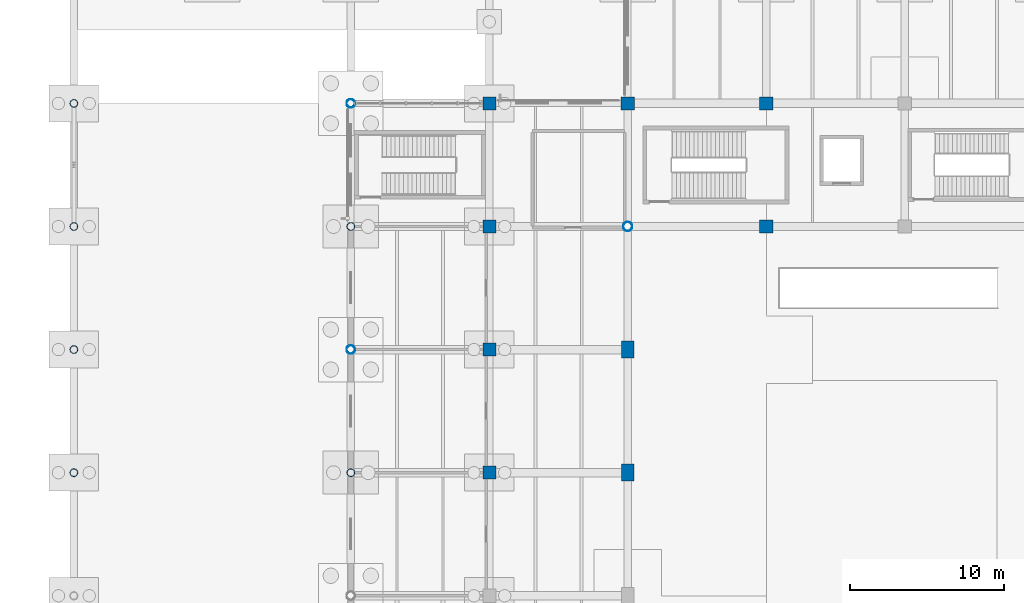
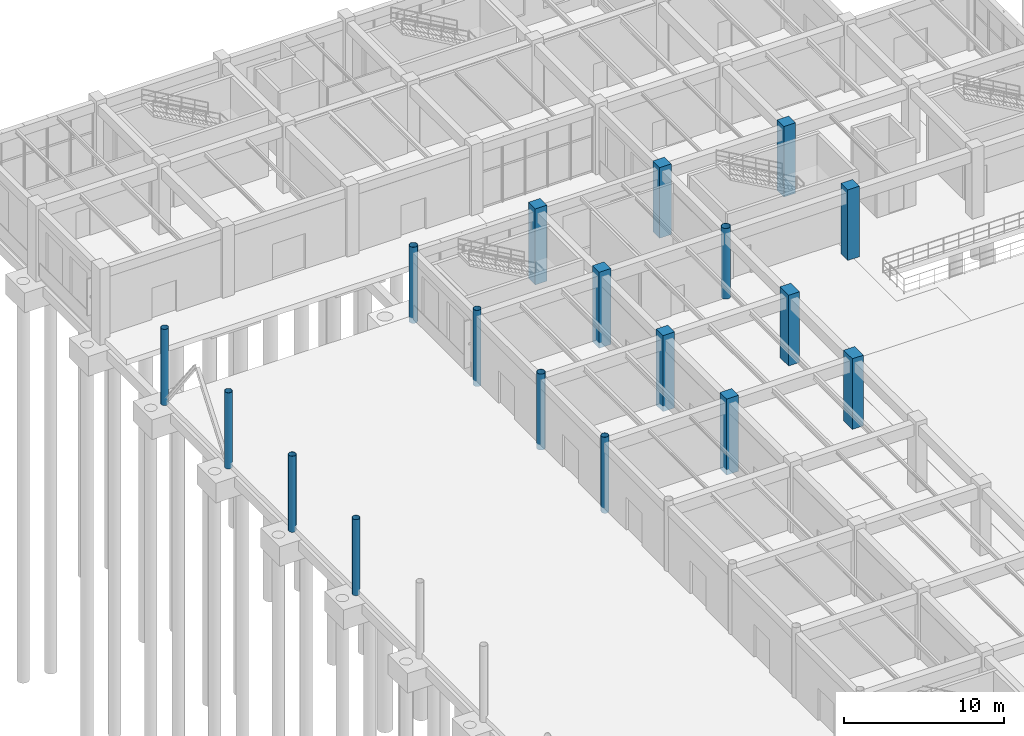
# One storey, part 12 of 121: 18 columns.
"""IFC4 building model written with IfcOpenShell, lengths in metres."""

import ifcopenshell
import ifcopenshell.guid

model = None  # the IFC model being written
_history = None  # IfcOwnerHistory: only IFC2X3 demands one
_inside = {}  # id of a spatial element -> (the spatial element, [elements in it])
_under = {}  # id of a project, library or spatial element -> (it, [spatial elements below it])
_declared = {}  # id of a project -> (the project, [libraries it declares])
_typed = {}  # id of a type object -> (the type object, [elements of that type])
_made_of = {}  # id of a material, layer set ... -> (it, [elements and type objects made of it])


def new_model(schema):
    """Start an empty IFC model of exactly this schema.

    Asked for "IFC4X3", IfcOpenShell would pick the latest addendum, in which some entities
    have other attributes; the version numbers below select the first issue.
    IFC2X3 requires an IfcOwnerHistory on every rooted entity: one is made here for all.
    """
    global model, _history
    if schema == "IFC4X3":
        model = ifcopenshell.file(schema_version=(4, 3, 0, 0))
    else:
        model = ifcopenshell.file(schema=schema)
    _inside.clear()
    _under.clear()
    _declared.clear()
    _typed.clear()
    _made_of.clear()
    _history = None
    if model.schema == "IFC2X3":
        org = make("IfcOrganization", Name="unknown")
        user = make(
            "IfcPersonAndOrganization",
            ThePerson=make("IfcPerson", FamilyName="unknown"),
            TheOrganization=org,
        )
        app = make(
            "IfcApplication",
            ApplicationDeveloper=org,
            Version="unknown",
            ApplicationFullName="unknown",
            ApplicationIdentifier="unknown",
        )
        _history = make(
            "IfcOwnerHistory",
            OwningUser=user,
            OwningApplication=app,
            ChangeAction="ADDED",
            CreationDate=0,
        )
    return model


def make(cls, **values):
    """One entity of the class cls with the attributes given. An attribute that is None is left unset."""
    return model.create_entity(
        cls, **{name: value for name, value in values.items() if value is not None}
    )


def rooted(cls, **values):
    """An entity with a GlobalId (a new one), such as an element, a storey or a relation."""
    return make(cls, GlobalId=ifcopenshell.guid.new(), OwnerHistory=_history, **values)


def si_unit(unit_type, name, prefix=None):
    """IfcSIUnit, for example si_unit("LENGTHUNIT", "METRE", prefix="MILLI")."""
    return make("IfcSIUnit", UnitType=unit_type, Prefix=prefix, Name=name)


def derived_unit(unit_type, elements):
    """IfcDerivedUnit: a product of units, each with its exponent."""
    return make(
        "IfcDerivedUnit",
        Elements=[
            make("IfcDerivedUnitElement", Unit=unit, Exponent=power)
            for unit, power in elements
        ],
        UnitType=unit_type,
    )


def assignment(units):
    """IfcUnitAssignment: the units of a project."""
    return None if units is None else make("IfcUnitAssignment", Units=units)


def point(xyz):
    """IfcCartesianPoint."""
    return None if xyz is None else make("IfcCartesianPoint", Coordinates=xyz)


def direction(xyz):
    """IfcDirection."""
    return None if xyz is None else make("IfcDirection", DirectionRatios=xyz)


def frame(location, z_axis=None, x_axis=None):
    """IfcAxis2Placement3D, a coordinate frame: its origin and axes. An axis left out is left unset."""
    return make(
        "IfcAxis2Placement3D",
        Location=point(location),
        Axis=direction(z_axis),
        RefDirection=direction(x_axis),
    )


def frame_2d(location, x_axis=None):
    """IfcAxis2Placement2D, a coordinate frame in the plane: its origin and x axis."""
    return make(
        "IfcAxis2Placement2D", Location=point(location), RefDirection=direction(x_axis)
    )


def origin():
    """The frame at (0, 0, 0) with its axes left unset."""
    return frame((0.0, 0.0, 0.0))


def origin_2d():
    """The frame at (0, 0) in the plane with its x axis left unset."""
    return frame_2d((0.0, 0.0))


def place(relative_to, where):
    """IfcLocalPlacement: puts the frame where relative to a parent placement (None: the world)."""
    return make(
        "IfcLocalPlacement", PlacementRelTo=relative_to, RelativePlacement=where
    )


def context(
    kind, dimensions, precision=None, world=None, true_north=None, identifier=None
):
    """IfcGeometricRepresentationContext, for example the 3D "Model" context."""
    return make(
        "IfcGeometricRepresentationContext",
        ContextIdentifier=identifier,
        ContextType=kind,
        CoordinateSpaceDimension=dimensions,
        Precision=precision,
        WorldCoordinateSystem=world,
        TrueNorth=true_north,
    )


def subcontext(parent, identifier, kind, view, scale=None):
    """IfcGeometricRepresentationSubContext, for example "Body" below "Model"."""
    return make(
        "IfcGeometricRepresentationSubContext",
        ContextIdentifier=identifier,
        ContextType=kind,
        ParentContext=parent,
        TargetScale=scale,
        TargetView=view,
    )


def project(units=None, contexts=None):
    """IfcProject with its units and contexts."""
    return rooted(
        "IfcProject",
        Name="project",
        RepresentationContexts=contexts,
        UnitsInContext=assignment(units),
    )


def spatial(cls, under=None, at=None, **own):
    """A site, building, storey or space (cls), placed at a placement, below another one or the project."""
    s = rooted(cls, ObjectPlacement=at, **own)
    if under is not None:
        _under.setdefault(under.id(), (under, []))[1].append(s)
    return s


def profile(cls, at=None, kind="AREA", **sizes):
    """A parametric profile (cls). Its sizes go by their IFC names, for example OverallWidth=200.0."""
    return make(cls, ProfileType=kind, Position=at, **sizes)


def rectangle(**sizes):
    """IfcRectangleProfileDef."""
    return profile("IfcRectangleProfileDef", **sizes)


def hollow_circle(**sizes):
    """IfcCircleHollowProfileDef."""
    return profile("IfcCircleHollowProfileDef", **sizes)


def extrude(swept, where, along, depth):
    """IfcExtrudedAreaSolid: the profile swept, set in the frame where, extruded along a direction by depth."""
    return make(
        "IfcExtrudedAreaSolid",
        SweptArea=swept,
        Position=where,
        ExtrudedDirection=direction(along),
        Depth=depth,
    )


def shape(context_of_items, identifier, shape_type, items):
    """IfcShapeRepresentation: the items that make up one representation, for example the "Body"."""
    return make(
        "IfcShapeRepresentation",
        ContextOfItems=context_of_items,
        RepresentationIdentifier=identifier,
        RepresentationType=shape_type,
        Items=items,
    )


def material(Name=None, Category=None):
    """IfcMaterial."""
    return make("IfcMaterial", Name=Name, Category=Category)


def material_profile(
    of_material, cross_section, Name=None, Category=None, Priority=None
):
    """IfcMaterialProfile: a cross section and its material."""
    return make(
        "IfcMaterialProfile",
        Name=Name,
        Material=of_material,
        Profile=cross_section,
        Priority=Priority,
        Category=Category,
    )


def profile_set(profiles, Name=None, composite=None):
    """IfcMaterialProfileSet."""
    return make(
        "IfcMaterialProfileSet",
        Name=Name,
        MaterialProfiles=profiles,
        CompositeProfile=composite,
    )


def made_of(thing, what):
    """Note that an element or type object is made of a material, layer set ...; save() writes the relation."""
    if what is not None:
        _made_of.setdefault(what.id(), (what, []))[1].append(thing)
    return thing


def type_object(cls, material=None, **own):
    """A type object (cls), such as IfcWallType, which elements share."""
    return made_of(rooted(cls, **own), material)


def element(
    cls,
    number,
    at=None,
    inside=None,
    cuts=None,
    type_object=None,
    material=None,
    context=None,
    identifier="Body",
    shape_type=None,
    held_by="IfcProductDefinitionShape",
    body=None,
    shapes=None,
    **own,
):
    """One element of the class cls, such as IfcWall. Its Tag is "e" and its number.

    at: its placement. inside: the storey or other place that contains it. cuts: it is an
    opening in that element (IfcRelVoidsElement). A single representation is given by context,
    identifier, shape_type and body (its items); several are given by shapes. held_by: the class
    of the entity that holds the representations. save() writes the other relations.
    """
    e = rooted(cls, Tag="e%d" % number, ObjectPlacement=at, **own)
    if body is not None:
        shapes = [shape(context, identifier, shape_type, body)]
    if shapes is not None:
        e.Representation = make(held_by, Representations=shapes)
    if inside is not None:
        _inside.setdefault(inside.id(), (inside, []))[1].append(e)
    if cuts is not None:
        rooted(
            "IfcRelVoidsElement", RelatingBuildingElement=cuts, RelatedOpeningElement=e
        )
    if type_object is not None:
        _typed.setdefault(type_object.id(), (type_object, []))[1].append(e)
    return made_of(e, material)


def aggregate(whole, parts):
    """IfcRelAggregates: a whole, such as a stair, and the parts it consists of."""
    return rooted("IfcRelAggregates", RelatingObject=whole, RelatedObjects=parts)


def save(model, path):
    """Write the relations noted so far, then the file.

    IfcRelAggregates (storeys below a building ...), IfcRelContainedInSpatialStructure (elements
    in a storey), IfcRelDefinesByType, IfcRelAssociatesMaterial and IfcRelDeclares: one each for
    every whole, place, type object, material and project.
    """
    for whole, parts in _under.values():
        aggregate(whole, parts)
    for where, things in _inside.values():
        rooted(
            "IfcRelContainedInSpatialStructure",
            RelatedElements=things,
            RelatingStructure=where,
        )
    for kind, things in _typed.values():
        rooted("IfcRelDefinesByType", RelatedObjects=things, RelatingType=kind)
    for what, things in _made_of.values():
        rooted("IfcRelAssociatesMaterial", RelatedObjects=things, RelatingMaterial=what)
    for by, libraries in _declared.values():
        rooted("IfcRelDeclares", RelatingContext=by, RelatedDefinitions=libraries)
    model.write(path)


model = new_model("IFC4")

# Units and contexts
model_context = context("Model", 3, precision=1e-05, world=origin(), true_north=direction((0.0, 1.0)))
body_context = subcontext(model_context, "Body", "Model", "MODEL_VIEW")
ifc_project = project(units=[si_unit("LENGTHUNIT", "METRE"), si_unit("AREAUNIT", "SQUARE_METRE"), si_unit("VOLUMEUNIT", "CUBIC_METRE"), si_unit("PLANEANGLEUNIT", "RADIAN"), si_unit("MASSUNIT", "GRAM", prefix="KILO"), derived_unit("THERMALTRANSMITTANCEUNIT", [(si_unit("MASSUNIT", "GRAM", prefix="KILO"), 1), (si_unit("TIMEUNIT", "SECOND"), -3), (si_unit("THERMODYNAMICTEMPERATUREUNIT", "KELVIN"), -1)])], contexts=[model_context])

# Site, building, storey
site_placement = place(None, origin())
site = spatial("IfcSite", under=ifc_project, at=site_placement, CompositionType="ELEMENT")
building_placement = place(site_placement, origin())
building = spatial("IfcBuilding", under=site, at=building_placement, Name="Zhenchuan Archway Interchange", CompositionType="ELEMENT")
storey_placement = place(building_placement, origin())
storey = spatial("IfcBuildingStorey", under=building, at=storey_placement, Name="L00", CompositionType="ELEMENT", Elevation=0.0)

# Columns
ifc_material_1 = material(Name="Concrete C50", Category="concrete")
ifc_material_profile_1 = material_profile(ifc_material_1, rectangle(XDim=0.800048828125, YDim=1.10009765625, at=origin_2d()), Name="RC 800x1100")
ifc_profile_set_1 = profile_set([ifc_material_profile_1], Name="Concrete C50")
column_type_1 = type_object("IfcColumnType", Name="COL_RC_800x1100", PredefinedType="COLUMN", material=ifc_profile_set_1)
for number, where, z_axis, x_axis, name in (
    (1, (36.0, 64.0, 0.0), (0.0, 0.0, 1.0), (1.0, 0.0, 0.0), "Column 5/J (L00)"),
    (2, (36.0, 72.0, 0.0), (0.0, 0.0, 1.0), (1.0, 0.0, 0.0), "Column 5/K (L00)"),
):
    element("IfcColumn", number, at=place(storey_placement, frame(where, z_axis=z_axis, x_axis=x_axis)), inside=storey, type_object=column_type_1, Name=name, PredefinedType="COLUMN", context=body_context, shape_type="SweptSolid", body=[
        extrude(rectangle(XDim=0.800048828125, YDim=1.10009765625, at=origin_2d()), origin(), (0.0, 0.0, 1.0), 5.39990234375),
    ])
ifc_material_2 = material(Name="Concrete C40", Category="concrete")
ifc_material_profile_2 = material_profile(ifc_material_2, rectangle(XDim=0.85009765625, YDim=0.85009765625, at=origin_2d()), Name="RC 850x850")
ifc_profile_set_2 = profile_set([ifc_material_profile_2], Name="Concrete C40")
column_type_2 = type_object("IfcColumnType", Name="COL_RC_850", PredefinedType="COLUMN", material=ifc_profile_set_2)
for number, where, z_axis, x_axis, name in (
    (3, (27.0, 64.0, -0.419921875), (0.0, 0.0, 1.0), (1.0, 0.0, 0.0), "Column 4/J (L00)"),
    (4, (27.0, 72.0, -0.419921875), (0.0, 0.0, 1.0), (1.0, 0.0, 0.0), "Column 4/K (L00)"),
    (5, (27.0, 80.0, -0.419921875), (0.0, 0.0, 1.0), (1.0, 0.0, 0.0), "Column 4/L (L00)"),
    (6, (27.0, 88.0, -0.419921875), (0.0, 0.0, 1.0), (1.0, 0.0, 0.0), "Column 4/M (L00)"),
):
    element("IfcColumn", number, at=place(storey_placement, frame(where, z_axis=z_axis, x_axis=x_axis)), inside=storey, type_object=column_type_2, Name=name, PredefinedType="COLUMN", context=body_context, shape_type="SweptSolid", body=[
        extrude(rectangle(XDim=0.85009765625, YDim=0.85009765625, at=origin_2d()), origin(), (0.0, 0.0, 1.0), 5.81982421875),
    ])
for number, where, z_axis, x_axis, name in (
    (7, (36.0, 88.0, 0.0), (0.0, 0.0, 1.0), (1.0, 0.0, 0.0), "Column 5/M (L00)"),
    (8, (45.0, 80.0, 0.0), (0.0, 0.0, 1.0), (1.0, 0.0, 0.0), "Column 6/L (L00)"),
    (9, (45.0, 88.0, 0.0), (0.0, 0.0, 1.0), (1.0, 0.0, 0.0), "Column 6/M (L00)"),
):
    element("IfcColumn", number, at=place(storey_placement, frame(where, z_axis=z_axis, x_axis=x_axis)), inside=storey, type_object=column_type_2, Name=name, PredefinedType="COLUMN", context=body_context, shape_type="SweptSolid", body=[
        extrude(rectangle(XDim=0.85009765625, YDim=0.85009765625, at=origin_2d()), origin(), (0.0, 0.0, 1.0), 5.39990234375),
    ])
ifc_material_3 = material(Name="Steel Q390", Category="steel")
ifc_material_profile_3 = material_profile(ifc_material_3, hollow_circle(Radius=0.25390625, WallThickness=0.01611328125, at=origin_2d()), Name="CHS 508x16")
ifc_profile_set_3 = profile_set([ifc_material_profile_3], Name="Steel Q390")
column_type_3 = type_object("IfcColumnType", Name="COL_STL_CHS508", PredefinedType="COLUMN", material=ifc_profile_set_3)
for number, where, z_axis, x_axis, name in (
    (10, (0.0, 64.0, -0.419921875), (0.0, 0.0, 1.0), (1.0, 0.0, 0.0), "Column 1/J (L00)"),
    (11, (0.0, 72.0, -0.419921875), (0.0, 0.0, 1.0), (1.0, 0.0, 0.0), "Column 1/K (L00)"),
    (12, (0.0, 80.0, -0.419921875), (0.0, 0.0, 1.0), (1.0, 0.0, 0.0), "Column 1/L (L00)"),
    (13, (0.0, 88.0, -0.419921875), (0.0, 0.0, 1.0), (1.0, 0.0, 0.0), "Column 1/M (L00)"),
    (14, (18.0, 64.0, -0.419921875), (0.0, 0.0, 1.0), (1.0, 0.0, 0.0), "Column 3/J (L00)"),
    (15, (18.0, 80.0, -0.419921875), (0.0, 0.0, 1.0), (1.0, 0.0, 0.0), "Column 3/L (L00)"),
):
    element("IfcColumn", number, at=place(storey_placement, frame(where, z_axis=z_axis, x_axis=x_axis)), inside=storey, type_object=column_type_3, Name=name, PredefinedType="COLUMN", context=body_context, shape_type="SweptSolid", body=[
        extrude(hollow_circle(Radius=0.25390625, WallThickness=0.01611328125, at=origin_2d()), origin(), (0.0, 0.0, 1.0), 5.81982421875),
    ])
ifc_material_profile_4 = material_profile(ifc_material_3, hollow_circle(Radius=0.279541015625, WallThickness=0.01806640625, at=origin_2d()), Name="CHS 559x18")
ifc_profile_set_4 = profile_set([ifc_material_profile_4], Name="Steel Q390")
column_type_4 = type_object("IfcColumnType", Name="COL_STL_CHS559", PredefinedType="COLUMN", material=ifc_profile_set_4)
for number, where, z_axis, x_axis, name in (
    (16, (18.0, 72.0, -0.419921875), (0.0, 0.0, 1.0), (1.0, 0.0, 0.0), "Column 3/K (L00)"),
    (17, (18.0, 88.0, -0.419921875), (0.0, 0.0, 1.0), (1.0, 0.0, 0.0), "Column 3/M (L00)"),
):
    element("IfcColumn", number, at=place(storey_placement, frame(where, z_axis=z_axis, x_axis=x_axis)), inside=storey, type_object=column_type_4, Name=name, PredefinedType="COLUMN", context=body_context, shape_type="SweptSolid", body=[
        extrude(hollow_circle(Radius=0.279541015625, WallThickness=0.01806640625, at=origin_2d()), origin(), (0.0, 0.0, 1.0), 5.81982421875),
    ])
ifc_material_profile_5 = material_profile(ifc_material_3, hollow_circle(Radius=0.304931640625, WallThickness=0.02001953125, at=origin_2d()), Name="CHS 610x20")
ifc_profile_set_5 = profile_set([ifc_material_profile_5], Name="Steel Q390")
column_type_5 = type_object("IfcColumnType", Name="COL_STL_CHS610", PredefinedType="COLUMN", material=ifc_profile_set_5)
column_placement = place(storey_placement, frame((36.0, 80.0, 0.0), z_axis=(0.0, 0.0, 1.0), x_axis=(1.0, 0.0, 0.0)))
element("IfcColumn", 18, at=column_placement, inside=storey, type_object=column_type_5, Name="Column 5/L (L00)", PredefinedType="COLUMN", context=body_context, shape_type="SweptSolid", body=[
    extrude(hollow_circle(Radius=0.304931640625, WallThickness=0.02001953125, at=origin_2d()), origin(), (0.0, 0.0, 1.0), 5.39990234375),
])

save(model, "model.ifc")
